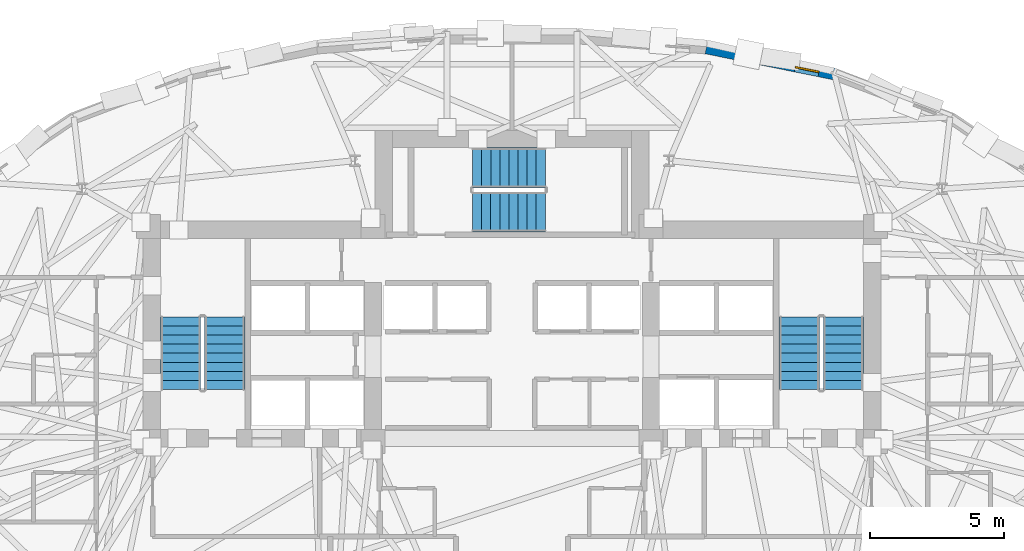
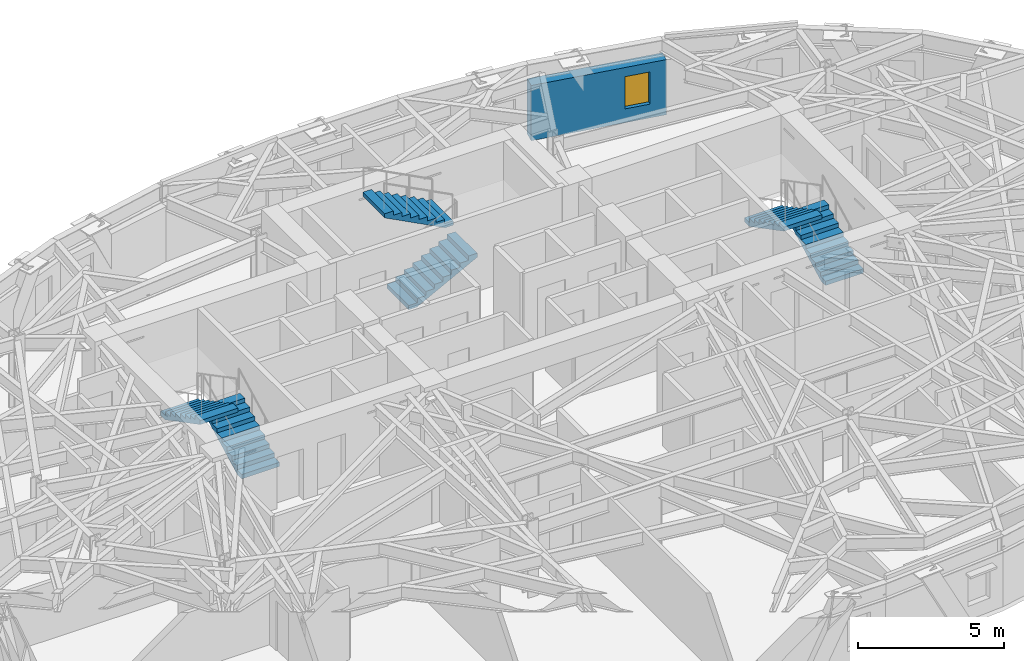
# One storey, part 11 of 15: 6 stair flights, 1 wall, 1 window, 1 opening, 3 elements without a shape of their own.
"""IFC4 building model written with IfcOpenShell, lengths in metres."""

from ifc_helpers import new_model, si_unit, direction, frame, frame_2d, origin, place, context, subcontext, project, spatial, polyline, rectangle, outline, extrude, material, layer, layer_set, type_object, element, fill, aggregate, save


model = new_model("IFC4")

# Units and contexts
model_context = context("Model", 3, precision=1e-05, world=origin(), true_north=direction((0.0, 1.0)))
body_context = subcontext(model_context, "Body", "Model", "MODEL_VIEW")
ifc_project = project(units=[si_unit("LENGTHUNIT", "METRE"), si_unit("AREAUNIT", "SQUARE_METRE"), si_unit("VOLUMEUNIT", "CUBIC_METRE"), si_unit("PLANEANGLEUNIT", "RADIAN"), si_unit("MASSUNIT", "GRAM", prefix="KILO")], contexts=[model_context])

# Site, building, storey
site_placement = place(None, origin())
site = spatial("IfcSite", under=ifc_project, at=site_placement, CompositionType="ELEMENT")
building_placement = place(site_placement, origin())
building = spatial("IfcBuilding", under=site, at=building_placement, Name="Keldmark Tower", CompositionType="ELEMENT")
storey_placement = place(building_placement, frame((0.0, 0.0, 150.199951171875)))
storey = spatial("IfcBuildingStorey", under=building, at=storey_placement, Name="L40", CompositionType="ELEMENT", Elevation=150.199951171875)

# Wall, opening, window
ifc_material_1 = material(Name="Ironspot Manganese Brick and Kasota Buff Limestone Spandrel Assembly", Category="masonry")
ifc_layer = layer(ifc_material_1, 0.43994140625)
ifc_layer_set = layer_set([ifc_layer], Name="Ironspot Manganese Brick and Kasota Buff Limestone Spandrel Assembly")
wall_type = type_object("IfcWallType", Name="Tower Brick Pier and Spandrel Wall 440 mm", PredefinedType="STANDARD", material=ifc_layer_set)
wall_placement = place(storey_placement, frame((7.2705078125, 16.12841796875, 0.0), z_axis=(0.0, 0.0, 1.0), x_axis=(0.980021305588, -0.198892535291, 0.0)))
wall = element("IfcWall", 1, at=wall_placement, inside=storey, type_object=wall_type, Name="L40 Exterior Brick and Spandrel Wall 06", PredefinedType="STANDARD", context=body_context, shape_type="SweptSolid", body=[
    extrude(rectangle(XDim=4.902587890625, YDim=0.43994140625, at=frame_2d((2.451171875, 0.0))), origin(), (0.0, 0.0, 1.0), 2.31494140625),
])
opening_placement = place(wall_placement, frame((3.407958984375, 0.0, 0.580078125)))
opening = element("IfcOpeningElement", 2, at=opening_placement, cuts=wall, Name="Opening W-09", PredefinedType="OPENING", context=body_context, shape_type="SweptSolid", body=[
    extrude(rectangle(XDim=0.89990234375, YDim=1.35009765625, at=frame_2d((0.449951171875, 0.675048828125))), frame((0.0, 0.22998046875, 0.0), z_axis=(0.0, -1.0, 0.0), x_axis=(1.0, 0.0, 0.0)), (0.0, 0.0, 1.0), 0.4599609375),
])
ifc_material_2 = material(Name="Thermally Broken Anodized Aluminum and Triple Low-E Argon Glazing", Category="aluminium")
window_type = type_object("IfcWindowType", Name="Corner Pier Deep-Set Window 900x1350", PartitioningType="SINGLE_PANEL", PredefinedType="WINDOW", material=ifc_material_2)
window_placement = place(opening_placement, origin())
window = element("IfcWindow", 3, at=window_placement, inside=storey, type_object=window_type, Name="L40 Deep-Set Window 06", OverallHeight=1.35009765625, OverallWidth=0.89990234375, PartitioningType="SINGLE_PANEL", PredefinedType="WINDOW", context=body_context, shape_type="SweptSolid", body=[
    extrude(rectangle(XDim=0.89990234375, YDim=1.35009765625, at=frame_2d((0.449951171875, 0.675048828125))), frame((0.0, -0.010009765625, 0.0), z_axis=(0.0, -1.0, 0.0), x_axis=(1.0, 0.0, 0.0)), (0.0, 0.0, 1.0), 0.06005859375),
])
fill(opening, window)

# Stair, stair flights
ifc_material_3 = material(Name="Concrete C40/50", Category="concrete")
stair_type = type_object("IfcStairType", Name="Precast Concrete Core Exit Stair", PredefinedType="HALF_TURN_STAIR", material=ifc_material_3)
stair_1_placement = place(storey_placement, origin())
stair_1 = element("IfcStair", 4, at=stair_1_placement, inside=storey, type_object=stair_type, Name="L40 Exit Stair ST1", PredefinedType="HALF_TURN_STAIR")
ifc_material_4 = material(Name="Concrete C40/50", Category="concrete")
stair_flight_type = type_object("IfcStairFlightType", Name="Precast Concrete Stair Flight 1500 mm", PredefinedType="STRAIGHT", material=ifc_material_4)
stair_flight_1_placement = place(storey_placement, frame((-10.75, 3.35009765625, 0.0), z_axis=(0.0, 0.0, 1.0), x_axis=(0.0, 1.0, 0.0)))
stair_flight_1 = element("IfcStairFlight", 5, at=stair_flight_1_placement, type_object=stair_flight_type, Name="ST1 flight 1", NumberOfRisers=9, NumberOfTreads=8, PredefinedType="STRAIGHT", RiserHeight=0.177777778, TreadLength=0.34, context=body_context, shape_type="SweptSolid", body=[
    extrude(outline(polyline([(0.0, 0.0), (0.0, 0.177734375), (0.340087890625, 0.177734375), (0.340087890625, 0.35546875), (0.679931640625, 0.35546875), (0.679931640625, 0.533447265625), (1.02001953125, 0.533447265625), (1.02001953125, 0.711181640625), (1.360107421875, 0.711181640625), (1.360107421875, 0.888916015625), (1.699951171875, 0.888916015625), (1.699951171875, 1.066650390625), (2.0400390625, 1.066650390625), (2.0400390625, 1.244384765625), (2.3798828125, 1.244384765625), (2.3798828125, 1.422119140625), (2.719970703125, 1.422119140625), (2.719970703125, 1.60009765625), (2.719970703125, 1.253173828125), (0.323486328125, 0.0), (0.0, 0.0)])), frame((0.0, 0.75, 0.0), z_axis=(0.0, -1.0, 0.0), x_axis=(1.0, 0.0, 0.0)), (0.0, 0.0, 1.0), 1.5),
])
stair_flight_2_placement = place(storey_placement, frame((-12.39990234375, 6.070068359375, 1.60009765625), z_axis=(0.0, 0.0, 1.0), x_axis=(0.0, -1.0, 0.0)))
stair_flight_2 = element("IfcStairFlight", 6, at=stair_flight_2_placement, type_object=stair_flight_type, Name="ST1 flight 2", NumberOfRisers=9, NumberOfTreads=8, PredefinedType="STRAIGHT", RiserHeight=0.177777778, TreadLength=0.34, context=body_context, shape_type="SweptSolid", body=[
    extrude(outline(polyline([(0.0, 0.0), (0.0, 0.177734375), (0.340087890625, 0.177734375), (0.340087890625, 0.35546875), (0.679931640625, 0.35546875), (0.679931640625, 0.533447265625), (1.02001953125, 0.533447265625), (1.02001953125, 0.711181640625), (1.360107421875, 0.711181640625), (1.360107421875, 0.888916015625), (1.699951171875, 0.888916015625), (1.699951171875, 1.066650390625), (2.0400390625, 1.066650390625), (2.0400390625, 1.244384765625), (2.3798828125, 1.244384765625), (2.3798828125, 1.422119140625), (2.719970703125, 1.422119140625), (2.719970703125, 1.60009765625), (2.719970703125, 1.253173828125), (0.323486328125, 0.0), (0.0, 0.0)])), frame((0.0, 0.75, 0.0), z_axis=(0.0, -1.0, 0.0), x_axis=(1.0, 0.0, 0.0)), (0.0, 0.0, 1.0), 1.5),
])
aggregate(stair_1, [stair_flight_1, stair_flight_2])

stair_2_placement = place(storey_placement, origin())
stair_2 = element("IfcStair", 7, at=stair_2_placement, inside=storey, type_object=stair_type, Name="L40 Exit Stair ST2", PredefinedType="HALF_TURN_STAIR")
stair_flight_3_placement = place(storey_placement, frame((12.39990234375, 3.35009765625, 0.0), z_axis=(0.0, 0.0, 1.0), x_axis=(0.0, 1.0, 0.0)))
stair_flight_3 = element("IfcStairFlight", 8, at=stair_flight_3_placement, type_object=stair_flight_type, Name="ST2 flight 1", NumberOfRisers=9, NumberOfTreads=8, PredefinedType="STRAIGHT", RiserHeight=0.177777778, TreadLength=0.34, context=body_context, shape_type="SweptSolid", body=[
    extrude(outline(polyline([(0.0, 0.0), (0.0, 0.177734375), (0.340087890625, 0.177734375), (0.340087890625, 0.35546875), (0.679931640625, 0.35546875), (0.679931640625, 0.533447265625), (1.02001953125, 0.533447265625), (1.02001953125, 0.711181640625), (1.360107421875, 0.711181640625), (1.360107421875, 0.888916015625), (1.699951171875, 0.888916015625), (1.699951171875, 1.066650390625), (2.0400390625, 1.066650390625), (2.0400390625, 1.244384765625), (2.3798828125, 1.244384765625), (2.3798828125, 1.422119140625), (2.719970703125, 1.422119140625), (2.719970703125, 1.60009765625), (2.719970703125, 1.253173828125), (0.323486328125, 0.0), (0.0, 0.0)])), frame((0.0, 0.75, 0.0), z_axis=(0.0, -1.0, 0.0), x_axis=(1.0, 0.0, 0.0)), (0.0, 0.0, 1.0), 1.5),
])
stair_flight_4_placement = place(storey_placement, frame((10.75, 6.070068359375, 1.60009765625), z_axis=(0.0, 0.0, 1.0), x_axis=(0.0, -1.0, 0.0)))
stair_flight_4 = element("IfcStairFlight", 9, at=stair_flight_4_placement, type_object=stair_flight_type, Name="ST2 flight 2", NumberOfRisers=9, NumberOfTreads=8, PredefinedType="STRAIGHT", RiserHeight=0.177777778, TreadLength=0.34, context=body_context, shape_type="SweptSolid", body=[
    extrude(outline(polyline([(0.0, 0.0), (0.0, 0.177734375), (0.340087890625, 0.177734375), (0.340087890625, 0.35546875), (0.679931640625, 0.35546875), (0.679931640625, 0.533447265625), (1.02001953125, 0.533447265625), (1.02001953125, 0.711181640625), (1.360107421875, 0.711181640625), (1.360107421875, 0.888916015625), (1.699951171875, 0.888916015625), (1.699951171875, 1.066650390625), (2.0400390625, 1.066650390625), (2.0400390625, 1.244384765625), (2.3798828125, 1.244384765625), (2.3798828125, 1.422119140625), (2.719970703125, 1.422119140625), (2.719970703125, 1.60009765625), (2.719970703125, 1.253173828125), (0.323486328125, 0.0), (0.0, 0.0)])), frame((0.0, 0.75, 0.0), z_axis=(0.0, -1.0, 0.0), x_axis=(1.0, 0.0, 0.0)), (0.0, 0.0, 1.0), 1.5),
])
aggregate(stair_2, [stair_flight_3, stair_flight_4])

stair_3_placement = place(storey_placement, origin())
stair_3 = element("IfcStair", 10, at=stair_3_placement, inside=storey, type_object=stair_type, Name="L40 Exit Stair ST3", PredefinedType="HALF_TURN_STAIR")
stair_flight_5_placement = place(storey_placement, frame((-1.47509765625, 10.0, 0.0), z_axis=(0.0, 0.0, 1.0), x_axis=(1.0, 0.0, 0.0)))
stair_flight_5 = element("IfcStairFlight", 11, at=stair_flight_5_placement, type_object=stair_flight_type, Name="ST3 flight 1", NumberOfRisers=9, NumberOfTreads=8, PredefinedType="STRAIGHT", RiserHeight=0.177777778, TreadLength=0.34, context=body_context, shape_type="SweptSolid", body=[
    extrude(outline(polyline([(0.0, 0.0), (0.0, 0.177734375), (0.340087890625, 0.177734375), (0.340087890625, 0.35546875), (0.679931640625, 0.35546875), (0.679931640625, 0.533447265625), (1.02001953125, 0.533447265625), (1.02001953125, 0.711181640625), (1.360107421875, 0.711181640625), (1.360107421875, 0.888916015625), (1.699951171875, 0.888916015625), (1.699951171875, 1.066650390625), (2.0400390625, 1.066650390625), (2.0400390625, 1.244384765625), (2.3798828125, 1.244384765625), (2.3798828125, 1.422119140625), (2.719970703125, 1.422119140625), (2.719970703125, 1.60009765625), (2.719970703125, 1.253173828125), (0.323486328125, 0.0), (0.0, 0.0)])), frame((0.0, 0.75, 0.0), z_axis=(0.0, -1.0, 0.0), x_axis=(1.0, 0.0, 0.0)), (0.0, 0.0, 1.0), 1.5),
])
stair_flight_6_placement = place(storey_placement, frame((1.2451171875, 11.64990234375, 1.60009765625), z_axis=(0.0, 0.0, 1.0), x_axis=(-1.0, 0.0, 0.0)))
stair_flight_6 = element("IfcStairFlight", 12, at=stair_flight_6_placement, type_object=stair_flight_type, Name="ST3 flight 2", NumberOfRisers=9, NumberOfTreads=8, PredefinedType="STRAIGHT", RiserHeight=0.177777778, TreadLength=0.34, context=body_context, shape_type="SweptSolid", body=[
    extrude(outline(polyline([(0.0, 0.0), (0.0, 0.177734375), (0.340087890625, 0.177734375), (0.340087890625, 0.35546875), (0.679931640625, 0.35546875), (0.679931640625, 0.533447265625), (1.02001953125, 0.533447265625), (1.02001953125, 0.711181640625), (1.360107421875, 0.711181640625), (1.360107421875, 0.888916015625), (1.699951171875, 0.888916015625), (1.699951171875, 1.066650390625), (2.0400390625, 1.066650390625), (2.0400390625, 1.244384765625), (2.3798828125, 1.244384765625), (2.3798828125, 1.422119140625), (2.719970703125, 1.422119140625), (2.719970703125, 1.60009765625), (2.719970703125, 1.253173828125), (0.323486328125, 0.0), (0.0, 0.0)])), frame((0.0, 0.75, 0.0), z_axis=(0.0, -1.0, 0.0), x_axis=(1.0, 0.0, 0.0)), (0.0, 0.0, 1.0), 1.5),
])
aggregate(stair_3, [stair_flight_5, stair_flight_6])

save(model, "model.ifc")
